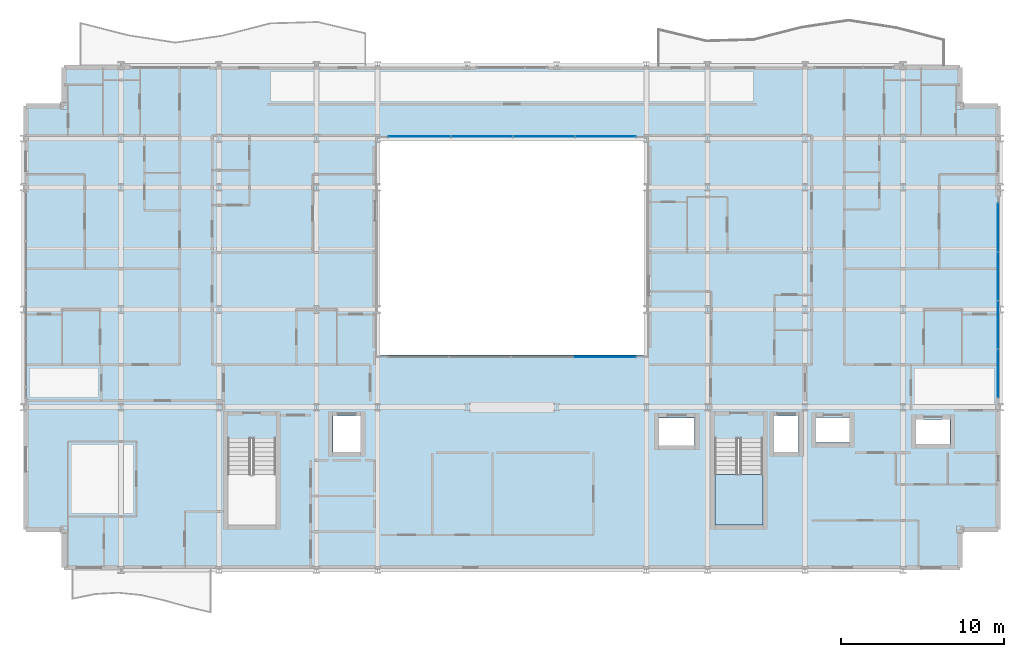
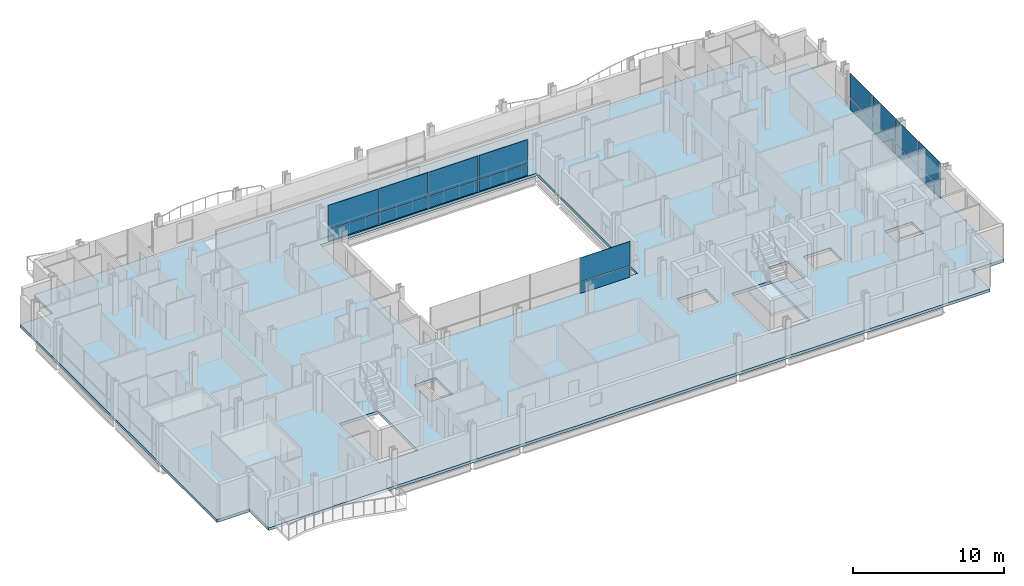
# One storey, part 27 of 41: 18 plates, 2 slabs, 4 elements without a shape of their own.
"""IFC4 building model written with IfcOpenShell, lengths in metres."""

import ifcopenshell
import ifcopenshell.guid

model = None  # the IFC model being written
_history = None  # IfcOwnerHistory: only IFC2X3 demands one
_inside = {}  # id of a spatial element -> (the spatial element, [elements in it])
_under = {}  # id of a project, library or spatial element -> (it, [spatial elements below it])
_declared = {}  # id of a project -> (the project, [libraries it declares])
_typed = {}  # id of a type object -> (the type object, [elements of that type])
_made_of = {}  # id of a material, layer set ... -> (it, [elements and type objects made of it])


def new_model(schema):
    """Start an empty IFC model of exactly this schema.

    Asked for "IFC4X3", IfcOpenShell would pick the latest addendum, in which some entities
    have other attributes; the version numbers below select the first issue.
    IFC2X3 requires an IfcOwnerHistory on every rooted entity: one is made here for all.
    """
    global model, _history
    if schema == "IFC4X3":
        model = ifcopenshell.file(schema_version=(4, 3, 0, 0))
    else:
        model = ifcopenshell.file(schema=schema)
    _inside.clear()
    _under.clear()
    _declared.clear()
    _typed.clear()
    _made_of.clear()
    _history = None
    if model.schema == "IFC2X3":
        org = make("IfcOrganization", Name="unknown")
        user = make(
            "IfcPersonAndOrganization",
            ThePerson=make("IfcPerson", FamilyName="unknown"),
            TheOrganization=org,
        )
        app = make(
            "IfcApplication",
            ApplicationDeveloper=org,
            Version="unknown",
            ApplicationFullName="unknown",
            ApplicationIdentifier="unknown",
        )
        _history = make(
            "IfcOwnerHistory",
            OwningUser=user,
            OwningApplication=app,
            ChangeAction="ADDED",
            CreationDate=0,
        )
    return model


def make(cls, **values):
    """One entity of the class cls with the attributes given. An attribute that is None is left unset."""
    return model.create_entity(
        cls, **{name: value for name, value in values.items() if value is not None}
    )


def rooted(cls, **values):
    """An entity with a GlobalId (a new one), such as an element, a storey or a relation."""
    return make(cls, GlobalId=ifcopenshell.guid.new(), OwnerHistory=_history, **values)


def si_unit(unit_type, name, prefix=None):
    """IfcSIUnit, for example si_unit("LENGTHUNIT", "METRE", prefix="MILLI")."""
    return make("IfcSIUnit", UnitType=unit_type, Prefix=prefix, Name=name)


def assignment(units):
    """IfcUnitAssignment: the units of a project."""
    return None if units is None else make("IfcUnitAssignment", Units=units)


def point(xyz):
    """IfcCartesianPoint."""
    return None if xyz is None else make("IfcCartesianPoint", Coordinates=xyz)


def direction(xyz):
    """IfcDirection."""
    return None if xyz is None else make("IfcDirection", DirectionRatios=xyz)


def frame(location, z_axis=None, x_axis=None):
    """IfcAxis2Placement3D, a coordinate frame: its origin and axes. An axis left out is left unset."""
    return make(
        "IfcAxis2Placement3D",
        Location=point(location),
        Axis=direction(z_axis),
        RefDirection=direction(x_axis),
    )


def frame_2d(location, x_axis=None):
    """IfcAxis2Placement2D, a coordinate frame in the plane: its origin and x axis."""
    return make(
        "IfcAxis2Placement2D", Location=point(location), RefDirection=direction(x_axis)
    )


def origin():
    """The frame at (0, 0, 0) with its axes left unset."""
    return frame((0.0, 0.0, 0.0))


def origin_2d():
    """The frame at (0, 0) in the plane with its x axis left unset."""
    return frame_2d((0.0, 0.0))


def place(relative_to, where):
    """IfcLocalPlacement: puts the frame where relative to a parent placement (None: the world)."""
    return make(
        "IfcLocalPlacement", PlacementRelTo=relative_to, RelativePlacement=where
    )


def context(
    kind, dimensions, precision=None, world=None, true_north=None, identifier=None
):
    """IfcGeometricRepresentationContext, for example the 3D "Model" context."""
    return make(
        "IfcGeometricRepresentationContext",
        ContextIdentifier=identifier,
        ContextType=kind,
        CoordinateSpaceDimension=dimensions,
        Precision=precision,
        WorldCoordinateSystem=world,
        TrueNorth=true_north,
    )


def subcontext(parent, identifier, kind, view, scale=None):
    """IfcGeometricRepresentationSubContext, for example "Body" below "Model"."""
    return make(
        "IfcGeometricRepresentationSubContext",
        ContextIdentifier=identifier,
        ContextType=kind,
        ParentContext=parent,
        TargetScale=scale,
        TargetView=view,
    )


def project(units=None, contexts=None):
    """IfcProject with its units and contexts."""
    return rooted(
        "IfcProject",
        Name="project",
        RepresentationContexts=contexts,
        UnitsInContext=assignment(units),
    )


def spatial(cls, under=None, at=None, **own):
    """A site, building, storey or space (cls), placed at a placement, below another one or the project."""
    s = rooted(cls, ObjectPlacement=at, **own)
    if under is not None:
        _under.setdefault(under.id(), (under, []))[1].append(s)
    return s


def polyline(points):
    """IfcPolyline through the points."""
    return make("IfcPolyline", Points=[point(p) for p in points])


def profile(cls, at=None, kind="AREA", **sizes):
    """A parametric profile (cls). Its sizes go by their IFC names, for example OverallWidth=200.0."""
    return make(cls, ProfileType=kind, Position=at, **sizes)


def rectangle(**sizes):
    """IfcRectangleProfileDef."""
    return profile("IfcRectangleProfileDef", **sizes)


def outline(outer, holes=None, kind="AREA"):
    """IfcArbitraryClosedProfileDef: a profile drawn as a closed curve; with holes, ...WithVoids."""
    if holes is None:
        return make("IfcArbitraryClosedProfileDef", ProfileType=kind, OuterCurve=outer)
    return make(
        "IfcArbitraryProfileDefWithVoids",
        ProfileType=kind,
        OuterCurve=outer,
        InnerCurves=holes,
    )


def extrude(swept, where, along, depth):
    """IfcExtrudedAreaSolid: the profile swept, set in the frame where, extruded along a direction by depth."""
    return make(
        "IfcExtrudedAreaSolid",
        SweptArea=swept,
        Position=where,
        ExtrudedDirection=direction(along),
        Depth=depth,
    )


def shape(context_of_items, identifier, shape_type, items):
    """IfcShapeRepresentation: the items that make up one representation, for example the "Body"."""
    return make(
        "IfcShapeRepresentation",
        ContextOfItems=context_of_items,
        RepresentationIdentifier=identifier,
        RepresentationType=shape_type,
        Items=items,
    )


def material(Name=None, Category=None):
    """IfcMaterial."""
    return make("IfcMaterial", Name=Name, Category=Category)


def layer(
    of_material, thickness, ventilated=None, Name=None, Category=None, Priority=None
):
    """IfcMaterialLayer: one layer of a wall or slab, of a material (None: an air gap)."""
    return make(
        "IfcMaterialLayer",
        Material=of_material,
        LayerThickness=thickness,
        IsVentilated=ventilated,
        Name=Name,
        Category=Category,
        Priority=Priority,
    )


def layer_set(layers, Name=None):
    """IfcMaterialLayerSet."""
    return make("IfcMaterialLayerSet", MaterialLayers=layers, LayerSetName=Name)


def made_of(thing, what):
    """Note that an element or type object is made of a material, layer set ...; save() writes the relation."""
    if what is not None:
        _made_of.setdefault(what.id(), (what, []))[1].append(thing)
    return thing


def type_object(cls, material=None, **own):
    """A type object (cls), such as IfcWallType, which elements share."""
    return made_of(rooted(cls, **own), material)


def element(
    cls,
    number,
    at=None,
    inside=None,
    cuts=None,
    type_object=None,
    material=None,
    context=None,
    identifier="Body",
    shape_type=None,
    held_by="IfcProductDefinitionShape",
    body=None,
    shapes=None,
    **own,
):
    """One element of the class cls, such as IfcWall. Its Tag is "e" and its number.

    at: its placement. inside: the storey or other place that contains it. cuts: it is an
    opening in that element (IfcRelVoidsElement). A single representation is given by context,
    identifier, shape_type and body (its items); several are given by shapes. held_by: the class
    of the entity that holds the representations. save() writes the other relations.
    """
    e = rooted(cls, Tag="e%d" % number, ObjectPlacement=at, **own)
    if body is not None:
        shapes = [shape(context, identifier, shape_type, body)]
    if shapes is not None:
        e.Representation = make(held_by, Representations=shapes)
    if inside is not None:
        _inside.setdefault(inside.id(), (inside, []))[1].append(e)
    if cuts is not None:
        rooted(
            "IfcRelVoidsElement", RelatingBuildingElement=cuts, RelatedOpeningElement=e
        )
    if type_object is not None:
        _typed.setdefault(type_object.id(), (type_object, []))[1].append(e)
    return made_of(e, material)


def aggregate(whole, parts):
    """IfcRelAggregates: a whole, such as a stair, and the parts it consists of."""
    return rooted("IfcRelAggregates", RelatingObject=whole, RelatedObjects=parts)


def save(model, path):
    """Write the relations noted so far, then the file.

    IfcRelAggregates (storeys below a building ...), IfcRelContainedInSpatialStructure (elements
    in a storey), IfcRelDefinesByType, IfcRelAssociatesMaterial and IfcRelDeclares: one each for
    every whole, place, type object, material and project.
    """
    for whole, parts in _under.values():
        aggregate(whole, parts)
    for where, things in _inside.values():
        rooted(
            "IfcRelContainedInSpatialStructure",
            RelatedElements=things,
            RelatingStructure=where,
        )
    for kind, things in _typed.values():
        rooted("IfcRelDefinesByType", RelatedObjects=things, RelatingType=kind)
    for what, things in _made_of.values():
        rooted("IfcRelAssociatesMaterial", RelatedObjects=things, RelatingMaterial=what)
    for by, libraries in _declared.values():
        rooted("IfcRelDeclares", RelatingContext=by, RelatedDefinitions=libraries)
    model.write(path)


model = new_model("IFC4")

# Units and contexts
model_context = context("Model", 3, precision=1e-05, world=origin(), true_north=direction((0.0, 1.0)))
body_context = subcontext(model_context, "Body", "Model", "MODEL_VIEW")
ifc_project = project(units=[si_unit("LENGTHUNIT", "METRE"), si_unit("AREAUNIT", "SQUARE_METRE"), si_unit("VOLUMEUNIT", "CUBIC_METRE"), si_unit("PLANEANGLEUNIT", "RADIAN"), si_unit("MASSUNIT", "GRAM", prefix="KILO")], contexts=[model_context])

# Site, building, storey
site_placement = place(None, origin())
site = spatial("IfcSite", under=ifc_project, at=site_placement, CompositionType="ELEMENT")
building_placement = place(site_placement, origin())
building = spatial("IfcBuilding", under=site, at=building_placement, Name="Brevholm Reach", CompositionType="ELEMENT")
storey_placement = place(building_placement, frame((0.0, 0.0, 55.89990234375)))
storey = spatial("IfcBuildingStorey", under=building, at=storey_placement, Name="L15", CompositionType="ELEMENT", Elevation=55.89990234375)

# Curtain wall, plates
ifc_material_1 = material(Name="Dark Anodised Aluminium 6063-T6 and Solar-Control Glass", Category="aluminium")
ifc_layer_1 = layer(ifc_material_1, 0.14990234375)
ifc_layer_set_1 = layer_set([ifc_layer_1], Name="Dark Anodised Aluminium 6063-T6 and Solar-Control Glass")
curtain_wall_type_1 = type_object("IfcCurtainWallType", Name="CW-01", PredefinedType="NOTDEFINED", material=ifc_layer_set_1)
curtain_wall_1_placement = place(storey_placement, origin())
curtain_wall_1 = element("IfcCurtainWall", 1, at=curtain_wall_1_placement, inside=storey, type_object=curtain_wall_type_1, Name="L15 Curtain Wall CW-01", PredefinedType="NOTDEFINED")
ifc_material_2 = material(Name="Dark Solar-Control Double-Glazed IGU Glass", Category="glass")
ifc_layer_2 = layer(ifc_material_2, 0.028076171875)
ifc_layer_set_2 = layer_set([ifc_layer_2], Name="Dark Solar-Control Double-Glazed IGU Glass")
plate_type_1 = type_object("IfcPlateType", Name="CWP-GLZ-28", PredefinedType="CURTAIN_PANEL", material=ifc_layer_set_2)
plate_1_placement = place(storey_placement, frame((59.85009765625, 12.066162109375, 0.0), z_axis=(0.0, 0.0, 1.0), x_axis=(0.0, 1.0, 0.0)))
plate_1 = element("IfcPlate", 2, at=plate_1_placement, type_object=plate_type_1, Name="CP-01 Glazing Panel 1.1", PredefinedType="CURTAIN_PANEL", context=body_context, shape_type="SweptSolid", body=[
    extrude(rectangle(XDim=2.902587890625, YDim=0.028076171875, at=origin_2d()), origin(), (0.0, 0.0, 1.0), 0.867431640625),
])
plate_2_placement = place(storey_placement, frame((59.85009765625, 12.066162109375, 0.9326171875), z_axis=(0.0, 0.0, 1.0), x_axis=(0.0, 1.0, 0.0)))
plate_2 = element("IfcPlate", 3, at=plate_2_placement, type_object=plate_type_1, Name="CP-01 Glazing Panel 1.2", PredefinedType="CURTAIN_PANEL", context=body_context, shape_type="SweptSolid", body=[
    extrude(rectangle(XDim=2.902587890625, YDim=0.028076171875, at=origin_2d()), origin(), (0.0, 0.0, 1.0), 1.9375),
])
plate_3_placement = place(storey_placement, frame((59.85009765625, 15.050048828125, 0.0), z_axis=(0.0, 0.0, 1.0), x_axis=(0.0, 1.0, 0.0)))
plate_3 = element("IfcPlate", 4, at=plate_3_placement, type_object=plate_type_1, Name="CP-01 Glazing Panel 2.1", PredefinedType="CURTAIN_PANEL", context=body_context, shape_type="SweptSolid", body=[
    extrude(rectangle(XDim=2.93505859375, YDim=0.028076171875, at=origin_2d()), origin(), (0.0, 0.0, 1.0), 0.867431640625),
])
plate_4_placement = place(storey_placement, frame((59.85009765625, 15.050048828125, 0.9326171875), z_axis=(0.0, 0.0, 1.0), x_axis=(0.0, 1.0, 0.0)))
plate_4 = element("IfcPlate", 5, at=plate_4_placement, type_object=plate_type_1, Name="CP-01 Glazing Panel 2.2", PredefinedType="CURTAIN_PANEL", context=body_context, shape_type="SweptSolid", body=[
    extrude(rectangle(XDim=2.93505859375, YDim=0.028076171875, at=origin_2d()), origin(), (0.0, 0.0, 1.0), 1.9375),
])
plate_5_placement = place(storey_placement, frame((59.85009765625, 18.050048828125, 0.0), z_axis=(0.0, 0.0, 1.0), x_axis=(0.0, 1.0, 0.0)))
plate_5 = element("IfcPlate", 6, at=plate_5_placement, type_object=plate_type_1, Name="CP-01 Glazing Panel 3.1", PredefinedType="CURTAIN_PANEL", context=body_context, shape_type="SweptSolid", body=[
    extrude(rectangle(XDim=2.93505859375, YDim=0.028076171875, at=origin_2d()), origin(), (0.0, 0.0, 1.0), 0.867431640625),
])
plate_6_placement = place(storey_placement, frame((59.85009765625, 18.050048828125, 0.9326171875), z_axis=(0.0, 0.0, 1.0), x_axis=(0.0, 1.0, 0.0)))
plate_6 = element("IfcPlate", 7, at=plate_6_placement, type_object=plate_type_1, Name="CP-01 Glazing Panel 3.2", PredefinedType="CURTAIN_PANEL", context=body_context, shape_type="SweptSolid", body=[
    extrude(rectangle(XDim=2.93505859375, YDim=0.028076171875, at=origin_2d()), origin(), (0.0, 0.0, 1.0), 1.9375),
])
plate_7_placement = place(storey_placement, frame((59.85009765625, 21.050048828125, 0.0), z_axis=(0.0, 0.0, 1.0), x_axis=(0.0, 1.0, 0.0)))
plate_7 = element("IfcPlate", 8, at=plate_7_placement, type_object=plate_type_1, Name="CP-01 Glazing Panel 4.1", PredefinedType="CURTAIN_PANEL", context=body_context, shape_type="SweptSolid", body=[
    extrude(rectangle(XDim=2.93505859375, YDim=0.028076171875, at=origin_2d()), origin(), (0.0, 0.0, 1.0), 0.867431640625),
])
plate_8_placement = place(storey_placement, frame((59.85009765625, 21.050048828125, 0.9326171875), z_axis=(0.0, 0.0, 1.0), x_axis=(0.0, 1.0, 0.0)))
plate_8 = element("IfcPlate", 9, at=plate_8_placement, type_object=plate_type_1, Name="CP-01 Glazing Panel 4.2", PredefinedType="CURTAIN_PANEL", context=body_context, shape_type="SweptSolid", body=[
    extrude(rectangle(XDim=2.93505859375, YDim=0.028076171875, at=origin_2d()), origin(), (0.0, 0.0, 1.0), 1.9375),
])
aggregate(curtain_wall_1, [plate_1, plate_2, plate_3, plate_4, plate_5, plate_6, plate_7, plate_8])

ifc_material_3 = material(Name="Dark Anodised Aluminium 6063-T6 and Solar-Control Glass", Category="aluminium")
ifc_layer_3 = layer(ifc_material_3, 0.139892578125)
ifc_layer_set_3 = layer_set([ifc_layer_3], Name="Dark Anodised Aluminium 6063-T6 and Solar-Control Glass")
curtain_wall_type_2 = type_object("IfcCurtainWallType", Name="CW-02", PredefinedType="NOTDEFINED", material=ifc_layer_set_3)
curtain_wall_2_placement = place(storey_placement, origin())
curtain_wall_2 = element("IfcCurtainWall", 10, at=curtain_wall_2_placement, inside=storey, type_object=curtain_wall_type_2, Name="L15 Curtain Wall CW-02", PredefinedType="NOTDEFINED")
ifc_material_4 = material(Name="Low-Iron Laminated Acoustic Glass", Category="glass")
ifc_layer_4 = layer(ifc_material_4, 0.035888671875)
ifc_layer_set_4 = layer_set([ifc_layer_4], Name="Low-Iron Laminated Acoustic Glass")
plate_type_2 = type_object("IfcPlateType", Name="CWP-GLZ-36", PredefinedType="CURTAIN_PANEL", material=ifc_layer_set_4)
plate_9_placement = place(storey_placement, frame((35.68505859375, 13.080078125, 0.0), z_axis=(0.0, 0.0, 1.0), x_axis=(1.0, 0.0, 0.0)))
plate_9 = element("IfcPlate", 11, at=plate_9_placement, type_object=plate_type_2, Name="CP-02 Glazing Panel 4.1", PredefinedType="CURTAIN_PANEL", context=body_context, shape_type="SweptSolid", body=[
    extrude(rectangle(XDim=3.81005859375, YDim=0.035888671875, at=origin_2d()), origin(), (0.0, 0.0, 1.0), 0.8701171875),
])
plate_10_placement = place(storey_placement, frame((35.68505859375, 13.080078125, 0.93017578125), z_axis=(0.0, 0.0, 1.0), x_axis=(1.0, 0.0, 0.0)))
plate_10 = element("IfcPlate", 12, at=plate_10_placement, type_object=plate_type_2, Name="CP-02 Glazing Panel 4.2", PredefinedType="CURTAIN_PANEL", context=body_context, shape_type="SweptSolid", body=[
    extrude(rectangle(XDim=3.81005859375, YDim=0.035888671875, at=origin_2d()), origin(), (0.0, 0.0, 1.0), 1.93994140625),
])
aggregate(curtain_wall_2, [plate_9, plate_10])

curtain_wall_3_placement = place(storey_placement, origin())
curtain_wall_3 = element("IfcCurtainWall", 13, at=curtain_wall_3_placement, inside=storey, type_object=curtain_wall_type_2, Name="L15 Curtain Wall CW-02", PredefinedType="NOTDEFINED")
plate_11_placement = place(storey_placement, frame((35.735107421875, 26.6201171875, 0.0), z_axis=(0.0, 0.0, 1.0), x_axis=(-1.0, 0.0, 0.0)))
plate_11 = element("IfcPlate", 14, at=plate_11_placement, type_object=plate_type_2, Name="CP-02 Glazing Panel 1.1", PredefinedType="CURTAIN_PANEL", context=body_context, shape_type="SweptSolid", body=[
    extrude(rectangle(XDim=3.7099609375, YDim=0.035888671875, at=origin_2d()), origin(), (0.0, 0.0, 1.0), 0.8701171875),
])
plate_12_placement = place(storey_placement, frame((35.735107421875, 26.6201171875, 0.93017578125), z_axis=(0.0, 0.0, 1.0), x_axis=(-1.0, 0.0, 0.0)))
plate_12 = element("IfcPlate", 15, at=plate_12_placement, type_object=plate_type_2, Name="CP-02 Glazing Panel 1.2", PredefinedType="CURTAIN_PANEL", context=body_context, shape_type="SweptSolid", body=[
    extrude(rectangle(XDim=3.7099609375, YDim=0.035888671875, at=origin_2d()), origin(), (0.0, 0.0, 1.0), 1.93994140625),
])
plate_13_placement = place(storey_placement, frame((31.949951171875, 26.6201171875, 0.0), z_axis=(0.0, 0.0, 1.0), x_axis=(-1.0, 0.0, 0.0)))
plate_13 = element("IfcPlate", 16, at=plate_13_placement, type_object=plate_type_2, Name="CP-02 Glazing Panel 2.1", PredefinedType="CURTAIN_PANEL", context=body_context, shape_type="SweptSolid", body=[
    extrude(rectangle(XDim=3.739990234375, YDim=0.035888671875, at=origin_2d()), origin(), (0.0, 0.0, 1.0), 0.8701171875),
])
plate_14_placement = place(storey_placement, frame((31.949951171875, 26.6201171875, 0.93017578125), z_axis=(0.0, 0.0, 1.0), x_axis=(-1.0, 0.0, 0.0)))
plate_14 = element("IfcPlate", 17, at=plate_14_placement, type_object=plate_type_2, Name="CP-02 Glazing Panel 2.2", PredefinedType="CURTAIN_PANEL", context=body_context, shape_type="SweptSolid", body=[
    extrude(rectangle(XDim=3.739990234375, YDim=0.035888671875, at=origin_2d()), origin(), (0.0, 0.0, 1.0), 1.93994140625),
])
plate_15_placement = place(storey_placement, frame((28.14990234375, 26.6201171875, 0.0), z_axis=(0.0, 0.0, 1.0), x_axis=(-1.0, 0.0, 0.0)))
plate_15 = element("IfcPlate", 18, at=plate_15_placement, type_object=plate_type_2, Name="CP-02 Glazing Panel 3.1", PredefinedType="CURTAIN_PANEL", context=body_context, shape_type="SweptSolid", body=[
    extrude(rectangle(XDim=3.739990234375, YDim=0.035888671875, at=origin_2d()), origin(), (0.0, 0.0, 1.0), 0.8701171875),
])
plate_16_placement = place(storey_placement, frame((28.14990234375, 26.6201171875, 0.93017578125), z_axis=(0.0, 0.0, 1.0), x_axis=(-1.0, 0.0, 0.0)))
plate_16 = element("IfcPlate", 19, at=plate_16_placement, type_object=plate_type_2, Name="CP-02 Glazing Panel 3.2", PredefinedType="CURTAIN_PANEL", context=body_context, shape_type="SweptSolid", body=[
    extrude(rectangle(XDim=3.739990234375, YDim=0.035888671875, at=origin_2d()), origin(), (0.0, 0.0, 1.0), 1.93994140625),
])
plate_17_placement = place(storey_placement, frame((24.31494140625, 26.6201171875, 0.0), z_axis=(0.0, 0.0, 1.0), x_axis=(-1.0, 0.0, 0.0)))
plate_17 = element("IfcPlate", 20, at=plate_17_placement, type_object=plate_type_2, Name="CP-02 Glazing Panel 4.1", PredefinedType="CURTAIN_PANEL", context=body_context, shape_type="SweptSolid", body=[
    extrude(rectangle(XDim=3.81005859375, YDim=0.035888671875, at=origin_2d()), origin(), (0.0, 0.0, 1.0), 0.8701171875),
])
plate_18_placement = place(storey_placement, frame((24.31494140625, 26.6201171875, 0.93017578125), z_axis=(0.0, 0.0, 1.0), x_axis=(-1.0, 0.0, 0.0)))
plate_18 = element("IfcPlate", 21, at=plate_18_placement, type_object=plate_type_2, Name="CP-02 Glazing Panel 4.2", PredefinedType="CURTAIN_PANEL", context=body_context, shape_type="SweptSolid", body=[
    extrude(rectangle(XDim=3.81005859375, YDim=0.035888671875, at=origin_2d()), origin(), (0.0, 0.0, 1.0), 1.93994140625),
])
aggregate(curtain_wall_3, [plate_11, plate_12, plate_13, plate_14, plate_15, plate_16, plate_17, plate_18])

# Slab
ifc_material_5 = material(Name="Concrete C40/50", Category="concrete")
ifc_layer_5 = layer(ifc_material_5, 0.22998046875)
ifc_layer_set_5 = layer_set([ifc_layer_5], Name="Concrete C40/50")
slab_type_1 = type_object("IfcSlabType", Name="SLB-FL-230", PredefinedType="FLOOR", material=ifc_layer_set_5)
slab_1_placement = place(storey_placement, frame((0.0, 0.0, -0.22998046875)))
element("IfcSlab", 22, at=slab_1_placement, inside=storey, type_object=slab_type_1, Name="L15 Suspended Floor Slab (main)", PredefinedType="FLOOR", context=body_context, shape_type="SweptSolid", body=[
    extrude(outline(polyline([(2.5, 0.0), (57.5, 0.0), (57.5, 2.5), (60.0, 2.5), (60.0, 28.5), (57.5, 28.5), (57.5, 31.0), (2.5, 31.0), (2.5, 28.5), (0.0, 28.5), (0.0, 2.5), (2.5, 2.5), (2.5, 0.0)]), holes=[polyline([(21.75, 13.199951171875), (38.25, 13.199951171875), (38.25, 26.5), (21.75, 26.5), (21.75, 13.199951171875)]), polyline([(12.550048828125, 2.780029296875), (15.5, 2.780029296875), (15.5, 8.044921875), (12.550048828125, 8.044921875), (12.550048828125, 2.780029296875)]), polyline([(42.449951171875, 2.780029296875), (45.39990234375, 2.780029296875), (45.39990234375, 8.044921875), (42.449951171875, 8.044921875), (42.449951171875, 2.780029296875)]), polyline([(19.0, 7.25), (20.699951171875, 7.25), (20.699951171875, 9.449951171875), (19.0, 9.449951171875), (19.0, 7.25)]), polyline([(46.10009765625, 7.25), (47.60009765625, 7.25), (47.60009765625, 9.449951171875), (46.10009765625, 9.449951171875), (46.10009765625, 7.25)]), polyline([(48.675048828125, 7.824951171875), (50.72509765625, 7.824951171875), (50.72509765625, 9.375), (48.675048828125, 9.375), (48.675048828125, 7.824951171875)]), polyline([(54.800048828125, 7.75), (56.89990234375, 7.75), (56.89990234375, 9.25), (54.800048828125, 9.25), (54.800048828125, 7.75)]), polyline([(39.02001953125, 7.64990234375), (41.219970703125, 7.64990234375), (41.219970703125, 9.35009765625), (39.02001953125, 9.35009765625), (39.02001953125, 7.64990234375)])]), origin(), (0.0, 0.0, 1.0), 0.22998046875),
])

# Stair, slab
ifc_material_6 = material(Name="Precast Concrete C40/50", Category="concrete")
stair_type = type_object("IfcStairType", Name="STR-ESC-1400", PredefinedType="DOUBLE_RETURN_STAIR", material=ifc_material_6)
stair_placement = place(storey_placement, origin())
stair = element("IfcStair", 23, at=stair_placement, inside=storey, type_object=stair_type, Name="L15 ST-2", PredefinedType="DOUBLE_RETURN_STAIR")
ifc_material_7 = material(Name="Concrete C40/50", Category="concrete")
ifc_layer_6 = layer(ifc_material_7, 0.199951171875)
ifc_layer_set_6 = layer_set([ifc_layer_6], Name="Concrete C40/50")
slab_type_2 = type_object("IfcSlabType", Name="SLB-LND-200", PredefinedType="LANDING", material=ifc_layer_set_6)
slab_2_placement = place(storey_placement, frame((0.0, 0.0, 1.35009765625)))
slab_2 = element("IfcSlab", 24, at=slab_2_placement, type_object=slab_type_2, Name="ST-2 landing 1", PredefinedType="LANDING", context=body_context, shape_type="SweptSolid", body=[
    extrude(outline(polyline([(42.449951171875, 5.860107421875), (42.449951171875, 2.780029296875), (45.39990234375, 2.780029296875), (45.39990234375, 5.860107421875), (42.449951171875, 5.860107421875)])), origin(), (0.0, 0.0, 1.0), 0.199951171875),
])
aggregate(stair, [slab_2])

save(model, "model.ifc")
